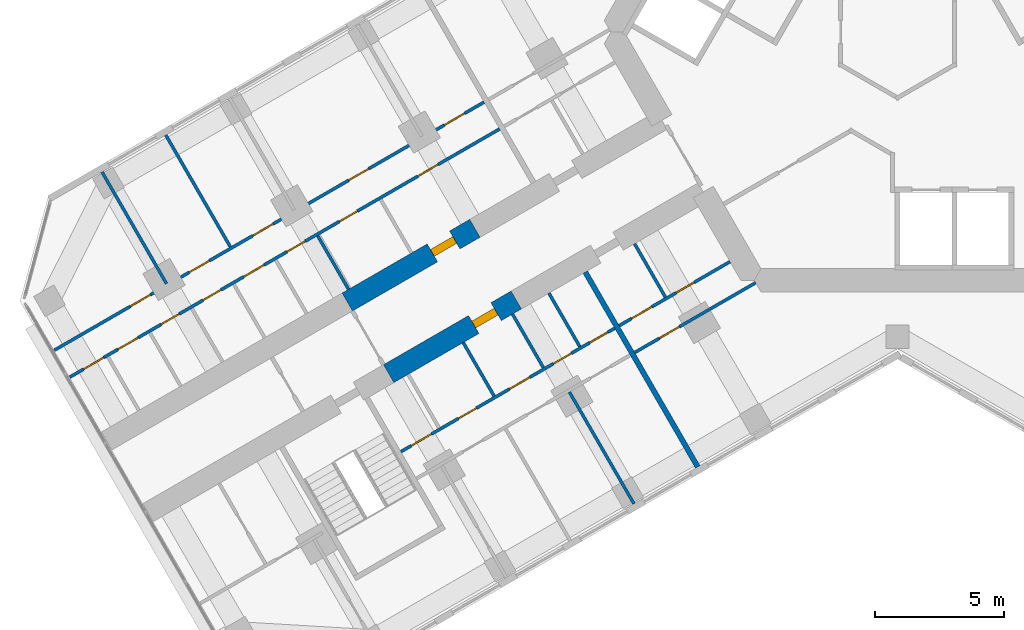
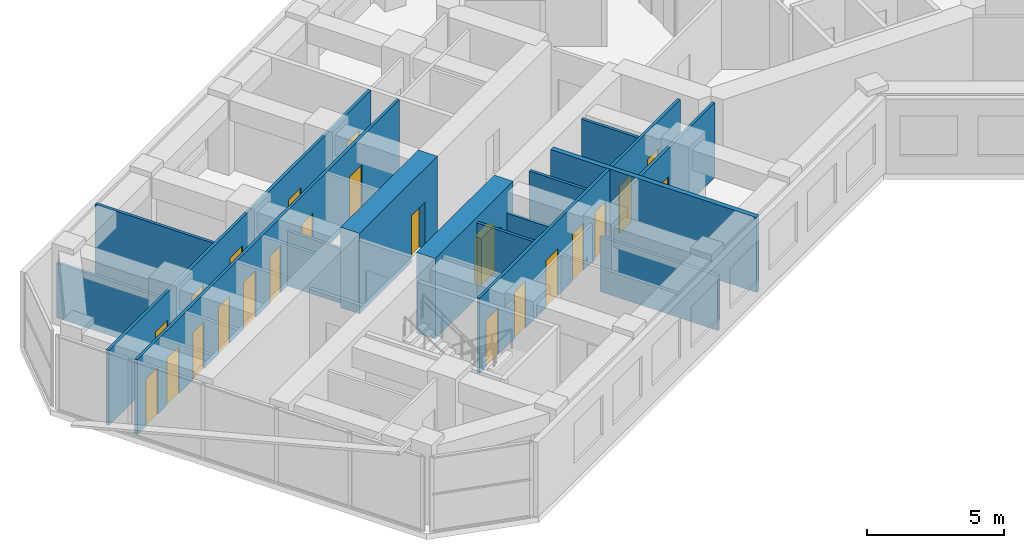
# One storey, part 11 of 19: 23 doors, 16 walls, 23 openings.
"""IFC4 building model written with IfcOpenShell, lengths in metres."""

from ifc_helpers import new_model, si_unit, direction, frame, frame_2d, origin, place, context, subcontext, project, spatial, rectangle, extrude, material, layer, layer_set, type_object, element, fill, save


model = new_model("IFC4")

# Units and contexts
model_context = context("Model", 3, precision=1e-05, world=origin(), true_north=direction((0.0, 1.0)))
body_context = subcontext(model_context, "Body", "Model", "MODEL_VIEW")
ifc_project = project(units=[si_unit("LENGTHUNIT", "METRE"), si_unit("AREAUNIT", "SQUARE_METRE"), si_unit("VOLUMEUNIT", "CUBIC_METRE"), si_unit("PLANEANGLEUNIT", "RADIAN"), si_unit("MASSUNIT", "GRAM", prefix="KILO")], contexts=[model_context])

# Site, building, storey
site_placement = place(None, origin())
site = spatial("IfcSite", under=ifc_project, at=site_placement, CompositionType="ELEMENT")
building_placement = place(site_placement, origin())
building = spatial("IfcBuilding", under=site, at=building_placement, Name="Kosmar Iwan School Tower", CompositionType="ELEMENT")
storey_placement = place(building_placement, frame((0.0, 0.0, 138.199951171875)))
storey = spatial("IfcBuildingStorey", under=building, at=storey_placement, Name="L34", CompositionType="ELEMENT", Elevation=138.199951171875)

# Wall, opening, door
ifc_material_1 = material(Name="Concrete C50/60", Category="concrete")
ifc_layer_1 = layer(ifc_material_1, 0.800048828125)
ifc_layer_set_1 = layer_set([ifc_layer_1], Name="Corridor buttress wall 800")
wall_type_1 = type_object("IfcWallType", Name="Corridor buttress wall 800", PredefinedType="SHEAR", material=ifc_layer_set_1)
wall_1_placement = place(storey_placement, frame((-14.7451171875, -10.360595703125, 0.0), z_axis=(0.0, 0.0, 1.0), x_axis=(-0.866015111908, -0.50001782563, 0.0)))
wall_1 = element("IfcWall", 1, at=wall_1_placement, inside=storey, type_object=wall_type_1, Name="Corridor wall BL bay 2", PredefinedType="SHEAR", context=body_context, shape_type="SweptSolid", body=[
    extrude(rectangle(XDim=5.699951171875, YDim=0.800048828125, at=frame_2d((2.85009765625, 0.0))), origin(), (0.0, 0.0, 1.0), 3.60009765625),
])
opening_1_placement = place(wall_1_placement, frame((0.89990234375, 0.0, 0.0)))
opening_1 = element("IfcOpeningElement", 2, at=opening_1_placement, cuts=wall_1, Name="Opening D1", PredefinedType="OPENING", context=body_context, shape_type="SweptSolid", body=[
    extrude(rectangle(XDim=1.0, YDim=2.10009765625, at=frame_2d((0.5, 1.050048828125))), frame((0.0, 0.412109375, 0.0), z_axis=(0.0, -1.0, 0.0), x_axis=(1.0, 0.0, 0.0)), (0.0, 0.0, 1.0), 0.823974609375),
])
ifc_material_2 = material(Name="Timber fire door in steel frame", Category="steel")
door_type_1 = type_object("IfcDoorType", Name="Flat entrance door 1000x2100", OperationType="SINGLE_SWING_LEFT", PredefinedType="DOOR", material=ifc_material_2)
door_1_placement = place(opening_1_placement, origin())
door_1 = element("IfcDoor", 3, at=door_1_placement, inside=storey, type_object=door_type_1, Name="Flat L34-BL2 entrance door", OperationType="SINGLE_SWING_LEFT", OverallHeight=2.10009765625, OverallWidth=1.0, PredefinedType="DOOR", context=body_context, shape_type="SweptSolid", body=[
    extrude(rectangle(XDim=1.0, YDim=2.10009765625, at=frame_2d((0.5, 1.050048828125))), frame((0.0, 0.14990234375, 0.0), z_axis=(0.0, -1.0, 0.0), x_axis=(1.0, 0.0, 0.0)), (0.0, 0.0, 1.0), 0.300048828125),
])
fill(opening_1, door_1)

wall_2_placement = place(storey_placement, frame((-16.34521484375, -7.58935546875, 0.0), z_axis=(0.0, 0.0, 1.0), x_axis=(-0.866015111908, -0.50001782563, 0.0)))
wall_2 = element("IfcWall", 4, at=wall_2_placement, inside=storey, type_object=wall_type_1, Name="Corridor wall BR bay 2", PredefinedType="SHEAR", context=body_context, shape_type="SweptSolid", body=[
    extrude(rectangle(XDim=5.699951171875, YDim=0.800048828125, at=frame_2d((2.85009765625, 0.0))), origin(), (0.0, 0.0, 1.0), 3.60009765625),
])
opening_2_placement = place(wall_2_placement, frame((0.89990234375, 0.0, 0.0)))
opening_2 = element("IfcOpeningElement", 5, at=opening_2_placement, cuts=wall_2, Name="Opening D1", PredefinedType="OPENING", context=body_context, shape_type="SweptSolid", body=[
    extrude(rectangle(XDim=1.0, YDim=2.10009765625, at=frame_2d((0.5, 1.050048828125))), frame((0.0, 0.412109375, 0.0), z_axis=(0.0, -1.0, 0.0), x_axis=(1.0, 0.0, 0.0)), (0.0, 0.0, 1.0), 0.823974609375),
])
door_2_placement = place(opening_2_placement, origin())
door_2 = element("IfcDoor", 6, at=door_2_placement, inside=storey, type_object=door_type_1, Name="Flat L34-BR2 entrance door", OperationType="SINGLE_SWING_LEFT", OverallHeight=2.10009765625, OverallWidth=1.0, PredefinedType="DOOR", context=body_context, shape_type="SweptSolid", body=[
    extrude(rectangle(XDim=1.0, YDim=2.10009765625, at=frame_2d((0.5, 1.050048828125))), frame((0.0, 0.14990234375, 0.0), z_axis=(0.0, -1.0, 0.0), x_axis=(1.0, 0.0, 0.0)), (0.0, 0.0, 1.0), 0.300048828125),
])
fill(opening_2, door_2)

# Wall, openings, doors
ifc_material_3 = material(Name="Gypsum board on steel studs", Category="steel")
ifc_layer_2 = layer(ifc_material_3, 0.1201171875)
ifc_layer_set_2 = layer_set([ifc_layer_2], Name="Dwelling partition 120")
wall_type_2 = type_object("IfcWallType", Name="Dwelling partition 120", PredefinedType="PARTITIONING", material=ifc_layer_set_2)
wall_3_placement = place(storey_placement, frame((-6.478515625, -8.87890625, 0.0), z_axis=(0.0, 0.0, 1.0), x_axis=(-0.866040211805, -0.499974350878, 0.0)))
wall_3 = element("IfcWall", 7, at=wall_3_placement, inside=storey, type_object=wall_type_2, Name="Partition L34-BL1-W1", PredefinedType="PARTITIONING", context=body_context, shape_type="SweptSolid", body=[
    extrude(rectangle(XDim=4.949951171875, YDim=0.1201171875, at=frame_2d((2.47509765625, 0.0))), origin(), (0.0, 0.0, 1.0), 3.35009765625),
])
opening_3_placement = place(wall_3_placement, frame((1.60009765625, 0.0, 0.0)))
opening_3 = element("IfcOpeningElement", 8, at=opening_3_placement, cuts=wall_3, Name="Opening D3", PredefinedType="OPENING", context=body_context, shape_type="SweptSolid", body=[
    extrude(rectangle(XDim=0.800048828125, YDim=2.10009765625, at=frame_2d((0.39990234375, 1.050048828125))), frame((0.0, 0.072021484375, 0.0), z_axis=(0.0, -1.0, 0.0), x_axis=(1.0, 0.0, 0.0)), (0.0, 0.0, 1.0), 0.14404296875),
])
opening_4_placement = place(wall_3_placement, frame((3.5, 0.0, 0.0)))
opening_4 = element("IfcOpeningElement", 9, at=opening_4_placement, cuts=wall_3, Name="Opening D2", PredefinedType="OPENING", context=body_context, shape_type="SweptSolid", body=[
    extrude(rectangle(XDim=0.89990234375, YDim=2.10009765625, at=frame_2d((0.449951171875, 1.050048828125))), frame((0.0, 0.072021484375, 0.0), z_axis=(0.0, -1.0, 0.0), x_axis=(1.0, 0.0, 0.0)), (0.0, 0.0, 1.0), 0.14404296875),
])
ifc_material_4 = material(Name="Timber door in timber frame", Category="wood")
door_type_2 = type_object("IfcDoorType", Name="Internal door 900x2100", OperationType="SINGLE_SWING_LEFT", PredefinedType="DOOR", material=ifc_material_4)
door_3_placement = place(opening_4_placement, origin())
door_3 = element("IfcDoor", 10, at=door_3_placement, inside=storey, type_object=door_type_2, Name="Entrance hall door L34-BL1-S2", OperationType="SINGLE_SWING_RIGHT", OverallHeight=2.10009765625, OverallWidth=0.89990234375, PredefinedType="DOOR", context=body_context, shape_type="SweptSolid", body=[
    extrude(rectangle(XDim=0.89990234375, YDim=2.10009765625, at=frame_2d((0.449951171875, 1.050048828125))), frame((0.0, 0.02490234375, 0.0), z_axis=(0.0, -1.0, 0.0), x_axis=(1.0, 0.0, 0.0)), (0.0, 0.0, 1.0), 0.050048828125),
])
fill(opening_4, door_3)
ifc_material_5 = material(Name="Timber door in timber frame", Category="wood")
door_type_3 = type_object("IfcDoorType", Name="Sanitary room door 800x2100", OperationType="SINGLE_SWING_LEFT", PredefinedType="DOOR", material=ifc_material_5)
door_4_placement = place(opening_3_placement, origin())
door_4 = element("IfcDoor", 11, at=door_4_placement, inside=storey, type_object=door_type_3, Name="Bathroom door L34-BL1-S1", OperationType="SINGLE_SWING_LEFT", OverallHeight=2.10009765625, OverallWidth=0.800048828125, PredefinedType="DOOR", context=body_context, shape_type="SweptSolid", body=[
    extrude(rectangle(XDim=0.800048828125, YDim=2.10009765625, at=frame_2d((0.39990234375, 1.050048828125))), frame((0.0, 0.02490234375, 0.0), z_axis=(0.0, -1.0, 0.0), x_axis=(1.0, 0.0, 0.0)), (0.0, 0.0, 1.0), 0.050048828125),
])
fill(opening_3, door_4)

# Wall, opening, door
wall_4_placement = place(storey_placement, frame((-5.48876953125, -9.693115234375, 0.0), z_axis=(0.0, 0.0, 1.0), x_axis=(-0.866028230842, -0.499995103361, 0.0)))
wall_4 = element("IfcWall", 12, at=wall_4_placement, inside=storey, type_object=wall_type_2, Name="Partition L34-BL1-W2", PredefinedType="PARTITIONING", context=body_context, shape_type="SweptSolid", body=[
    extrude(rectangle(XDim=5.39990234375, YDim=0.1201171875, at=frame_2d((2.699951171875, 0.0))), origin(), (0.0, 0.0, 1.0), 3.35009765625),
])
opening_5_placement = place(wall_4_placement, frame((3.39990234375, 0.0, 0.0)))
opening_5 = element("IfcOpeningElement", 13, at=opening_5_placement, cuts=wall_4, Name="Opening D2", PredefinedType="OPENING", context=body_context, shape_type="SweptSolid", body=[
    extrude(rectangle(XDim=0.89990234375, YDim=2.10009765625, at=frame_2d((0.449951171875, 1.050048828125))), frame((0.0, 0.072021484375, 0.0), z_axis=(0.0, -1.0, 0.0), x_axis=(1.0, 0.0, 0.0)), (0.0, 0.0, 1.0), 0.14404296875),
])
door_5_placement = place(opening_5_placement, origin())
door_5 = element("IfcDoor", 14, at=door_5_placement, inside=storey, type_object=door_type_2, Name="Studio living room and kitchen door L34-BL1-F1", OperationType="SINGLE_SWING_RIGHT", OverallHeight=2.10009765625, OverallWidth=0.89990234375, PredefinedType="DOOR", context=body_context, shape_type="SweptSolid", body=[
    extrude(rectangle(XDim=0.89990234375, YDim=2.10009765625, at=frame_2d((0.449951171875, 1.050048828125))), frame((0.0, 0.02490234375, 0.0), z_axis=(0.0, -1.0, 0.0), x_axis=(1.0, 0.0, 0.0)), (0.0, 0.0, 1.0), 0.050048828125),
])
fill(opening_5, door_5)

# Wall
wall_5_placement = place(storey_placement, frame((-10.171630859375, -8.18212890625, 0.0), z_axis=(0.0, 0.0, 1.0), x_axis=(0.499940577336, -0.866059708757, 0.0)))
element("IfcWall", 15, at=wall_5_placement, inside=storey, type_object=wall_type_2, Name="Partition L34-BL1-Y1", PredefinedType="PARTITIONING", context=body_context, shape_type="SweptSolid", body=[
    extrude(rectangle(XDim=2.389892578125, YDim=0.1201171875, at=frame_2d((1.19482421875, 0.0))), origin(), (0.0, 0.0, 1.0), 3.35009765625),
])

# Wall, openings, doors
wall_6_placement = place(storey_placement, frame((-10.9384765625, -11.453857421875, 0.0), z_axis=(0.0, 0.0, 1.0), x_axis=(-0.866035311659, -0.499982838664, 0.0)))
wall_6 = element("IfcWall", 16, at=wall_6_placement, inside=storey, type_object=wall_type_2, Name="Partition L34-BL2-W1", PredefinedType="PARTITIONING", context=body_context, shape_type="SweptSolid", body=[
    extrude(rectangle(XDim=9.550048828125, YDim=0.1201171875, at=frame_2d((4.77490234375, 0.0))), origin(), (0.0, 0.0, 1.0), 3.35009765625),
])
opening_6_placement = place(wall_6_placement, frame((0.3125, 0.0, 0.0)))
opening_6 = element("IfcOpeningElement", 17, at=opening_6_placement, cuts=wall_6, Name="Opening D3", PredefinedType="OPENING", context=body_context, shape_type="SweptSolid", body=[
    extrude(rectangle(XDim=0.800048828125, YDim=2.10009765625, at=frame_2d((0.39990234375, 1.050048828125))), frame((0.0, 0.072021484375, 0.0), z_axis=(0.0, -1.0, 0.0), x_axis=(1.0, 0.0, 0.0)), (0.0, 0.0, 1.0), 0.14404296875),
])
opening_7_placement = place(wall_6_placement, frame((1.9375, 0.0, 0.0)))
opening_7 = element("IfcOpeningElement", 18, at=opening_7_placement, cuts=wall_6, Name="Opening D3", PredefinedType="OPENING", context=body_context, shape_type="SweptSolid", body=[
    extrude(rectangle(XDim=0.800048828125, YDim=2.10009765625, at=frame_2d((0.39990234375, 1.050048828125))), frame((0.0, 0.072021484375, 0.0), z_axis=(0.0, -1.0, 0.0), x_axis=(1.0, 0.0, 0.0)), (0.0, 0.0, 1.0), 0.14404296875),
])
opening_8_placement = place(wall_6_placement, frame((3.800048828125, 0.0, 0.0)))
opening_8 = element("IfcOpeningElement", 19, at=opening_8_placement, cuts=wall_6, Name="Opening D2", PredefinedType="OPENING", context=body_context, shape_type="SweptSolid", body=[
    extrude(rectangle(XDim=0.89990234375, YDim=2.10009765625, at=frame_2d((0.449951171875, 1.050048828125))), frame((0.0, 0.072021484375, 0.0), z_axis=(0.0, -1.0, 0.0), x_axis=(1.0, 0.0, 0.0)), (0.0, 0.0, 1.0), 0.14404296875),
])
opening_9_placement = place(wall_6_placement, frame((6.179931640625, 0.0, 0.0)))
opening_9 = element("IfcOpeningElement", 20, at=opening_9_placement, cuts=wall_6, Name="Opening D3", PredefinedType="OPENING", context=body_context, shape_type="SweptSolid", body=[
    extrude(rectangle(XDim=0.800048828125, YDim=2.10009765625, at=frame_2d((0.39990234375, 1.050048828125))), frame((0.0, 0.072021484375, 0.0), z_axis=(0.0, -1.0, 0.0), x_axis=(1.0, 0.0, 0.0)), (0.0, 0.0, 1.0), 0.14404296875),
])
opening_10_placement = place(wall_6_placement, frame((8.179931640625, 0.0, 0.0)))
opening_10 = element("IfcOpeningElement", 21, at=opening_10_placement, cuts=wall_6, Name="Opening D2", PredefinedType="OPENING", context=body_context, shape_type="SweptSolid", body=[
    extrude(rectangle(XDim=0.89990234375, YDim=2.10009765625, at=frame_2d((0.449951171875, 1.050048828125))), frame((0.0, 0.072021484375, 0.0), z_axis=(0.0, -1.0, 0.0), x_axis=(1.0, 0.0, 0.0)), (0.0, 0.0, 1.0), 0.14404296875),
])
door_6_placement = place(opening_8_placement, origin())
door_6 = element("IfcDoor", 22, at=door_6_placement, inside=storey, type_object=door_type_2, Name="Entrance hall door L34-BL2-S3", OperationType="SINGLE_SWING_LEFT", OverallHeight=2.10009765625, OverallWidth=0.89990234375, PredefinedType="DOOR", context=body_context, shape_type="SweptSolid", body=[
    extrude(rectangle(XDim=0.89990234375, YDim=2.10009765625, at=frame_2d((0.449951171875, 1.050048828125))), frame((0.0, 0.02490234375, 0.0), z_axis=(0.0, -1.0, 0.0), x_axis=(1.0, 0.0, 0.0)), (0.0, 0.0, 1.0), 0.050048828125),
])
fill(opening_8, door_6)
door_7_placement = place(opening_10_placement, frame((0.89990234375, 0.0, 0.0), z_axis=(0.0, 0.0, 1.0), x_axis=(-1.0, 0.0, 0.0)))
door_7 = element("IfcDoor", 23, at=door_7_placement, inside=storey, type_object=door_type_2, Name="Pantry door L34-BL2-S5", OperationType="SINGLE_SWING_LEFT", OverallHeight=2.10009765625, OverallWidth=0.89990234375, PredefinedType="DOOR", context=body_context, shape_type="SweptSolid", body=[
    extrude(rectangle(XDim=0.89990234375, YDim=2.10009765625, at=frame_2d((0.449951171875, 1.050048828125))), frame((0.0, 0.02490234375, 0.0), z_axis=(0.0, -1.0, 0.0), x_axis=(1.0, 0.0, 0.0)), (0.0, 0.0, 1.0), 0.050048828125),
])
fill(opening_10, door_7)
door_8_placement = place(opening_6_placement, origin())
door_8 = element("IfcDoor", 24, at=door_8_placement, inside=storey, type_object=door_type_3, Name="WC door L34-BL2-S1", OperationType="SINGLE_SWING_LEFT", OverallHeight=2.10009765625, OverallWidth=0.800048828125, PredefinedType="DOOR", context=body_context, shape_type="SweptSolid", body=[
    extrude(rectangle(XDim=0.800048828125, YDim=2.10009765625, at=frame_2d((0.39990234375, 1.050048828125))), frame((0.0, 0.02490234375, 0.0), z_axis=(0.0, -1.0, 0.0), x_axis=(1.0, 0.0, 0.0)), (0.0, 0.0, 1.0), 0.050048828125),
])
fill(opening_6, door_8)
door_9_placement = place(opening_7_placement, origin())
door_9 = element("IfcDoor", 25, at=door_9_placement, inside=storey, type_object=door_type_3, Name="Shower room door L34-BL2-S2", OperationType="SINGLE_SWING_LEFT", OverallHeight=2.10009765625, OverallWidth=0.800048828125, PredefinedType="DOOR", context=body_context, shape_type="SweptSolid", body=[
    extrude(rectangle(XDim=0.800048828125, YDim=2.10009765625, at=frame_2d((0.39990234375, 1.050048828125))), frame((0.0, 0.02490234375, 0.0), z_axis=(0.0, -1.0, 0.0), x_axis=(1.0, 0.0, 0.0)), (0.0, 0.0, 1.0), 0.050048828125),
])
fill(opening_7, door_9)
door_10_placement = place(opening_9_placement, origin())
door_10 = element("IfcDoor", 26, at=door_10_placement, inside=storey, type_object=door_type_3, Name="Bathroom door L34-BL2-S4", OperationType="SINGLE_SWING_RIGHT", OverallHeight=2.10009765625, OverallWidth=0.800048828125, PredefinedType="DOOR", context=body_context, shape_type="SweptSolid", body=[
    extrude(rectangle(XDim=0.800048828125, YDim=2.10009765625, at=frame_2d((0.39990234375, 1.050048828125))), frame((0.0, 0.02490234375, 0.0), z_axis=(0.0, -1.0, 0.0), x_axis=(1.0, 0.0, 0.0)), (0.0, 0.0, 1.0), 0.050048828125),
])
fill(opening_9, door_10)

# Walls
wall_7_placement = place(storey_placement, frame((-12.690185546875, -13.919921875, 0.0), z_axis=(0.0, 0.0, 1.0), x_axis=(0.500011847778, -0.866018563358, 0.0)))
element("IfcWall", 27, at=wall_7_placement, inside=storey, type_object=wall_type_2, Name="Partition L34-BL2-X1", PredefinedType="PARTITIONING", context=body_context, shape_type="SweptSolid", body=[
    extrude(rectangle(XDim=4.990234375, YDim=0.1201171875, at=frame_2d((2.4951171875, 0.0))), origin(), (0.0, 0.0, 1.0), 2.449951171875),
])
wall_8_placement = place(storey_placement, frame((-13.484375, -10.094482421875, 0.0), z_axis=(0.0, 0.0, 1.0), x_axis=(0.500017192868, -0.86601547725, 0.0)))
element("IfcWall", 28, at=wall_8_placement, inside=storey, type_object=wall_type_2, Name="Partition L34-BL2-Y1", PredefinedType="PARTITIONING", context=body_context, shape_type="SweptSolid", body=[
    extrude(rectangle(XDim=2.39013671875, YDim=0.1201171875, at=frame_2d((1.195068359375, 0.0))), origin(), (0.0, 0.0, 1.0), 3.35009765625),
])
wall_9_placement = place(storey_placement, frame((-14.8916015625, -10.906982421875, 0.0), z_axis=(0.0, 0.0, 1.0), x_axis=(0.500017192868, -0.86601547725, 0.0)))
element("IfcWall", 29, at=wall_9_placement, inside=storey, type_object=wall_type_2, Name="Partition L34-BL2-Y2", PredefinedType="PARTITIONING", context=body_context, shape_type="SweptSolid", body=[
    extrude(rectangle(XDim=2.39013671875, YDim=0.1201171875, at=frame_2d((1.195068359375, 0.0))), origin(), (0.0, 0.0, 1.0), 2.449951171875),
])
wall_10_placement = place(storey_placement, frame((-16.796875, -12.007080078125, 0.0), z_axis=(0.0, 0.0, 1.0), x_axis=(0.500017192868, -0.86601547725, 0.0)))
element("IfcWall", 30, at=wall_10_placement, inside=storey, type_object=wall_type_2, Name="Partition L34-BL2-Y3", PredefinedType="PARTITIONING", context=body_context, shape_type="SweptSolid", body=[
    extrude(rectangle(XDim=2.39013671875, YDim=0.1201171875, at=frame_2d((1.195068359375, 0.0))), origin(), (0.0, 0.0, 1.0), 3.35009765625),
])

# Wall, openings, doors
wall_11_placement = place(storey_placement, frame((-15.388671875, -3.74609375, 0.0), z_axis=(0.0, 0.0, 1.0), x_axis=(-0.866021011428, -0.500007607708, 0.0)))
wall_11 = element("IfcWall", 31, at=wall_11_placement, inside=storey, type_object=wall_type_2, Name="Partition L34-BR2-W1", PredefinedType="PARTITIONING", context=body_context, shape_type="SweptSolid", body=[
    extrude(rectangle(XDim=19.195068359375, YDim=0.1201171875, at=frame_2d((9.59765625, 0.0))), origin(), (0.0, 0.0, 1.0), 3.35009765625),
])
opening_11_placement = place(wall_11_placement, frame((2.75, 0.0, 0.0)))
opening_11 = element("IfcOpeningElement", 32, at=opening_11_placement, cuts=wall_11, Name="Opening D2", PredefinedType="OPENING", context=body_context, shape_type="SweptSolid", body=[
    extrude(rectangle(XDim=0.89990234375, YDim=2.10009765625, at=frame_2d((0.449951171875, 1.050048828125))), frame((0.0, 0.072021484375, 0.0), z_axis=(0.0, -1.0, 0.0), x_axis=(1.0, 0.0, 0.0)), (0.0, 0.0, 1.0), 0.14404296875),
])
opening_12_placement = place(wall_11_placement, frame((6.35498046875, 0.0, 0.0)))
opening_12 = element("IfcOpeningElement", 33, at=opening_12_placement, cuts=wall_11, Name="Opening D3", PredefinedType="OPENING", context=body_context, shape_type="SweptSolid", body=[
    extrude(rectangle(XDim=0.800048828125, YDim=2.10009765625, at=frame_2d((0.39990234375, 1.050048828125))), frame((0.0, 0.072021484375, 0.0), z_axis=(0.0, -1.0, 0.0), x_axis=(1.0, 0.0, 0.0)), (0.0, 0.0, 1.0), 0.14404296875),
])
opening_13_placement = place(wall_11_placement, frame((8.69677734375, 0.0, 0.0)))
opening_13 = element("IfcOpeningElement", 34, at=opening_13_placement, cuts=wall_11, Name="Opening D3", PredefinedType="OPENING", context=body_context, shape_type="SweptSolid", body=[
    extrude(rectangle(XDim=0.800048828125, YDim=2.10009765625, at=frame_2d((0.39990234375, 1.050048828125))), frame((0.0, 0.072021484375, 0.0), z_axis=(0.0, -1.0, 0.0), x_axis=(1.0, 0.0, 0.0)), (0.0, 0.0, 1.0), 0.14404296875),
])
opening_14_placement = place(wall_11_placement, frame((10.52001953125, 0.0, 0.0)))
opening_14 = element("IfcOpeningElement", 35, at=opening_14_placement, cuts=wall_11, Name="Opening D2", PredefinedType="OPENING", context=body_context, shape_type="SweptSolid", body=[
    extrude(rectangle(XDim=0.89990234375, YDim=2.10009765625, at=frame_2d((0.449951171875, 1.050048828125))), frame((0.0, 0.072021484375, 0.0), z_axis=(0.0, -1.0, 0.0), x_axis=(1.0, 0.0, 0.0)), (0.0, 0.0, 1.0), 0.14404296875),
])
opening_15_placement = place(wall_11_placement, frame((12.443359375, 0.0, 0.0)))
opening_15 = element("IfcOpeningElement", 36, at=opening_15_placement, cuts=wall_11, Name="Opening D3", PredefinedType="OPENING", context=body_context, shape_type="SweptSolid", body=[
    extrude(rectangle(XDim=0.800048828125, YDim=2.10009765625, at=frame_2d((0.39990234375, 1.050048828125))), frame((0.0, 0.072021484375, 0.0), z_axis=(0.0, -1.0, 0.0), x_axis=(1.0, 0.0, 0.0)), (0.0, 0.0, 1.0), 0.14404296875),
])
opening_16_placement = place(wall_11_placement, frame((14.316650390625, 0.0, 0.0)))
opening_16 = element("IfcOpeningElement", 37, at=opening_16_placement, cuts=wall_11, Name="Opening D3", PredefinedType="OPENING", context=body_context, shape_type="SweptSolid", body=[
    extrude(rectangle(XDim=0.800048828125, YDim=2.10009765625, at=frame_2d((0.39990234375, 1.050048828125))), frame((0.0, 0.072021484375, 0.0), z_axis=(0.0, -1.0, 0.0), x_axis=(1.0, 0.0, 0.0)), (0.0, 0.0, 1.0), 0.14404296875),
])
opening_17_placement = place(wall_11_placement, frame((16.139892578125, 0.0, 0.0)))
opening_17 = element("IfcOpeningElement", 38, at=opening_17_placement, cuts=wall_11, Name="Opening D2", PredefinedType="OPENING", context=body_context, shape_type="SweptSolid", body=[
    extrude(rectangle(XDim=0.89990234375, YDim=2.10009765625, at=frame_2d((0.449951171875, 1.050048828125))), frame((0.0, 0.072021484375, 0.0), z_axis=(0.0, -1.0, 0.0), x_axis=(1.0, 0.0, 0.0)), (0.0, 0.0, 1.0), 0.14404296875),
])
opening_18_placement = place(wall_11_placement, frame((17.686767578125, 0.0, 0.0)))
opening_18 = element("IfcOpeningElement", 39, at=opening_18_placement, cuts=wall_11, Name="Opening D2", PredefinedType="OPENING", context=body_context, shape_type="SweptSolid", body=[
    extrude(rectangle(XDim=0.89990234375, YDim=2.10009765625, at=frame_2d((0.449951171875, 1.050048828125))), frame((0.0, 0.072021484375, 0.0), z_axis=(0.0, -1.0, 0.0), x_axis=(1.0, 0.0, 0.0)), (0.0, 0.0, 1.0), 0.14404296875),
])
door_11_placement = place(opening_11_placement, origin())
door_11 = element("IfcDoor", 40, at=door_11_placement, inside=storey, type_object=door_type_2, Name="Entrance hall door L34-BR2-S1", OperationType="SINGLE_SWING_RIGHT", OverallHeight=2.10009765625, OverallWidth=0.89990234375, PredefinedType="DOOR", context=body_context, shape_type="SweptSolid", body=[
    extrude(rectangle(XDim=0.89990234375, YDim=2.10009765625, at=frame_2d((0.449951171875, 1.050048828125))), frame((0.0, 0.02490234375, 0.0), z_axis=(0.0, -1.0, 0.0), x_axis=(1.0, 0.0, 0.0)), (0.0, 0.0, 1.0), 0.050048828125),
])
fill(opening_11, door_11)
door_12_placement = place(opening_14_placement, origin())
door_12 = element("IfcDoor", 41, at=door_12_placement, inside=storey, type_object=door_type_2, Name="Pantry door L34-BR2-S4", OperationType="SINGLE_SWING_RIGHT", OverallHeight=2.10009765625, OverallWidth=0.89990234375, PredefinedType="DOOR", context=body_context, shape_type="SweptSolid", body=[
    extrude(rectangle(XDim=0.89990234375, YDim=2.10009765625, at=frame_2d((0.449951171875, 1.050048828125))), frame((0.0, 0.02490234375, 0.0), z_axis=(0.0, -1.0, 0.0), x_axis=(1.0, 0.0, 0.0)), (0.0, 0.0, 1.0), 0.050048828125),
])
fill(opening_14, door_12)
door_13_placement = place(opening_17_placement, origin())
door_13 = element("IfcDoor", 42, at=door_13_placement, inside=storey, type_object=door_type_2, Name="Utility room door L34-BR2-S7", OperationType="SINGLE_SWING_LEFT", OverallHeight=2.10009765625, OverallWidth=0.89990234375, PredefinedType="DOOR", context=body_context, shape_type="SweptSolid", body=[
    extrude(rectangle(XDim=0.89990234375, YDim=2.10009765625, at=frame_2d((0.449951171875, 1.050048828125))), frame((0.0, 0.02490234375, 0.0), z_axis=(0.0, -1.0, 0.0), x_axis=(1.0, 0.0, 0.0)), (0.0, 0.0, 1.0), 0.050048828125),
])
fill(opening_17, door_13)
door_14_placement = place(opening_18_placement, origin())
door_14 = element("IfcDoor", 43, at=door_14_placement, inside=storey, type_object=door_type_2, Name="Dressing room door L34-BR2-S8", OperationType="SINGLE_SWING_LEFT", OverallHeight=2.10009765625, OverallWidth=0.89990234375, PredefinedType="DOOR", context=body_context, shape_type="SweptSolid", body=[
    extrude(rectangle(XDim=0.89990234375, YDim=2.10009765625, at=frame_2d((0.449951171875, 1.050048828125))), frame((0.0, 0.02490234375, 0.0), z_axis=(0.0, -1.0, 0.0), x_axis=(1.0, 0.0, 0.0)), (0.0, 0.0, 1.0), 0.050048828125),
])
fill(opening_18, door_14)
door_15_placement = place(opening_12_placement, origin())
door_15 = element("IfcDoor", 44, at=door_15_placement, inside=storey, type_object=door_type_3, Name="Bathroom door L34-BR2-S2", OperationType="SINGLE_SWING_RIGHT", OverallHeight=2.10009765625, OverallWidth=0.800048828125, PredefinedType="DOOR", context=body_context, shape_type="SweptSolid", body=[
    extrude(rectangle(XDim=0.800048828125, YDim=2.10009765625, at=frame_2d((0.39990234375, 1.050048828125))), frame((0.0, 0.02490234375, 0.0), z_axis=(0.0, -1.0, 0.0), x_axis=(1.0, 0.0, 0.0)), (0.0, 0.0, 1.0), 0.050048828125),
])
fill(opening_12, door_15)
door_16_placement = place(opening_13_placement, origin())
door_16 = element("IfcDoor", 45, at=door_16_placement, inside=storey, type_object=door_type_3, Name="Shower room door L34-BR2-S3", OperationType="SINGLE_SWING_LEFT", OverallHeight=2.10009765625, OverallWidth=0.800048828125, PredefinedType="DOOR", context=body_context, shape_type="SweptSolid", body=[
    extrude(rectangle(XDim=0.800048828125, YDim=2.10009765625, at=frame_2d((0.39990234375, 1.050048828125))), frame((0.0, 0.02490234375, 0.0), z_axis=(0.0, -1.0, 0.0), x_axis=(1.0, 0.0, 0.0)), (0.0, 0.0, 1.0), 0.050048828125),
])
fill(opening_13, door_16)
door_17_placement = place(opening_15_placement, origin())
door_17 = element("IfcDoor", 46, at=door_17_placement, inside=storey, type_object=door_type_3, Name="WC door L34-BR2-S5", OperationType="SINGLE_SWING_LEFT", OverallHeight=2.10009765625, OverallWidth=0.800048828125, PredefinedType="DOOR", context=body_context, shape_type="SweptSolid", body=[
    extrude(rectangle(XDim=0.800048828125, YDim=2.10009765625, at=frame_2d((0.39990234375, 1.050048828125))), frame((0.0, 0.02490234375, 0.0), z_axis=(0.0, -1.0, 0.0), x_axis=(1.0, 0.0, 0.0)), (0.0, 0.0, 1.0), 0.050048828125),
])
fill(opening_15, door_17)
door_18_placement = place(opening_16_placement, origin())
door_18 = element("IfcDoor", 47, at=door_18_placement, inside=storey, type_object=door_type_3, Name="Store door L34-BR2-S6", OperationType="SINGLE_SWING_RIGHT", OverallHeight=2.10009765625, OverallWidth=0.800048828125, PredefinedType="DOOR", context=body_context, shape_type="SweptSolid", body=[
    extrude(rectangle(XDim=0.800048828125, YDim=2.10009765625, at=frame_2d((0.39990234375, 1.050048828125))), frame((0.0, 0.02490234375, 0.0), z_axis=(0.0, -1.0, 0.0), x_axis=(1.0, 0.0, 0.0)), (0.0, 0.0, 1.0), 0.050048828125),
])
fill(opening_16, door_18)

wall_12_placement = place(storey_placement, frame((-15.988525390625, -2.70703125, 0.0), z_axis=(0.0, 0.0, 1.0), x_axis=(-0.866029698618, -0.499992561057, 0.0)))
wall_12 = element("IfcWall", 48, at=wall_12_placement, inside=storey, type_object=wall_type_2, Name="Partition L34-BR2-W2", PredefinedType="PARTITIONING", context=body_context, shape_type="SweptSolid", body=[
    extrude(rectangle(XDim=19.195068359375, YDim=0.1201171875, at=frame_2d((9.59765625, 0.0))), origin(), (0.0, 0.0, 1.0), 3.35009765625),
])
opening_19_placement = place(wall_12_placement, frame((0.875, 0.0, 0.0)))
opening_19 = element("IfcOpeningElement", 49, at=opening_19_placement, cuts=wall_12, Name="Opening D2", PredefinedType="OPENING", context=body_context, shape_type="SweptSolid", body=[
    extrude(rectangle(XDim=0.89990234375, YDim=2.10009765625, at=frame_2d((0.449951171875, 1.050048828125))), frame((0.0, 0.072021484375, 0.0), z_axis=(0.0, -1.0, 0.0), x_axis=(1.0, 0.0, 0.0)), (0.0, 0.0, 1.0), 0.14404296875),
])
opening_20_placement = place(wall_12_placement, frame((5.14990234375, 0.0, 0.0)))
opening_20 = element("IfcOpeningElement", 50, at=opening_20_placement, cuts=wall_12, Name="Opening D2", PredefinedType="OPENING", context=body_context, shape_type="SweptSolid", body=[
    extrude(rectangle(XDim=0.89990234375, YDim=2.10009765625, at=frame_2d((0.449951171875, 1.050048828125))), frame((0.0, 0.072021484375, 0.0), z_axis=(0.0, -1.0, 0.0), x_axis=(1.0, 0.0, 0.0)), (0.0, 0.0, 1.0), 0.14404296875),
])
opening_21_placement = place(wall_12_placement, frame((9.425048828125, 0.0, 0.0)))
opening_21 = element("IfcOpeningElement", 51, at=opening_21_placement, cuts=wall_12, Name="Opening D2", PredefinedType="OPENING", context=body_context, shape_type="SweptSolid", body=[
    extrude(rectangle(XDim=0.89990234375, YDim=2.10009765625, at=frame_2d((0.449951171875, 1.050048828125))), frame((0.0, 0.072021484375, 0.0), z_axis=(0.0, -1.0, 0.0), x_axis=(1.0, 0.0, 0.0)), (0.0, 0.0, 1.0), 0.14404296875),
])
opening_22_placement = place(wall_12_placement, frame((12.27490234375, 0.0, 0.0)))
opening_22 = element("IfcOpeningElement", 52, at=opening_22_placement, cuts=wall_12, Name="Opening D2", PredefinedType="OPENING", context=body_context, shape_type="SweptSolid", body=[
    extrude(rectangle(XDim=0.89990234375, YDim=2.10009765625, at=frame_2d((0.449951171875, 1.050048828125))), frame((0.0, 0.072021484375, 0.0), z_axis=(0.0, -1.0, 0.0), x_axis=(1.0, 0.0, 0.0)), (0.0, 0.0, 1.0), 0.14404296875),
])
opening_23_placement = place(wall_12_placement, frame((14.89990234375, 0.0, 0.0)))
opening_23 = element("IfcOpeningElement", 53, at=opening_23_placement, cuts=wall_12, Name="Opening D2", PredefinedType="OPENING", context=body_context, shape_type="SweptSolid", body=[
    extrude(rectangle(XDim=0.89990234375, YDim=2.10009765625, at=frame_2d((0.449951171875, 1.050048828125))), frame((0.0, 0.072021484375, 0.0), z_axis=(0.0, -1.0, 0.0), x_axis=(1.0, 0.0, 0.0)), (0.0, 0.0, 1.0), 0.14404296875),
])
door_19_placement = place(opening_19_placement, origin())
door_19 = element("IfcDoor", 54, at=door_19_placement, inside=storey, type_object=door_type_2, Name="Guest reception room door L34-BR2-F1", OperationType="SINGLE_SWING_LEFT", OverallHeight=2.10009765625, OverallWidth=0.89990234375, PredefinedType="DOOR", context=body_context, shape_type="SweptSolid", body=[
    extrude(rectangle(XDim=0.89990234375, YDim=2.10009765625, at=frame_2d((0.449951171875, 1.050048828125))), frame((0.0, 0.02490234375, 0.0), z_axis=(0.0, -1.0, 0.0), x_axis=(1.0, 0.0, 0.0)), (0.0, 0.0, 1.0), 0.050048828125),
])
fill(opening_19, door_19)
door_20_placement = place(opening_20_placement, origin())
door_20 = element("IfcDoor", 55, at=door_20_placement, inside=storey, type_object=door_type_2, Name="Family room and kitchen door L34-BR2-F2", OperationType="SINGLE_SWING_LEFT", OverallHeight=2.10009765625, OverallWidth=0.89990234375, PredefinedType="DOOR", context=body_context, shape_type="SweptSolid", body=[
    extrude(rectangle(XDim=0.89990234375, YDim=2.10009765625, at=frame_2d((0.449951171875, 1.050048828125))), frame((0.0, 0.02490234375, 0.0), z_axis=(0.0, -1.0, 0.0), x_axis=(1.0, 0.0, 0.0)), (0.0, 0.0, 1.0), 0.050048828125),
])
fill(opening_20, door_20)
door_21_placement = place(opening_21_placement, origin())
door_21 = element("IfcDoor", 56, at=door_21_placement, inside=storey, type_object=door_type_2, Name="Bedroom 1 door L34-BR2-F3", OperationType="SINGLE_SWING_RIGHT", OverallHeight=2.10009765625, OverallWidth=0.89990234375, PredefinedType="DOOR", context=body_context, shape_type="SweptSolid", body=[
    extrude(rectangle(XDim=0.89990234375, YDim=2.10009765625, at=frame_2d((0.449951171875, 1.050048828125))), frame((0.0, 0.02490234375, 0.0), z_axis=(0.0, -1.0, 0.0), x_axis=(1.0, 0.0, 0.0)), (0.0, 0.0, 1.0), 0.050048828125),
])
fill(opening_21, door_21)
door_22_placement = place(opening_22_placement, origin())
door_22 = element("IfcDoor", 57, at=door_22_placement, inside=storey, type_object=door_type_2, Name="Bedroom 2 door L34-BR2-F4", OperationType="SINGLE_SWING_RIGHT", OverallHeight=2.10009765625, OverallWidth=0.89990234375, PredefinedType="DOOR", context=body_context, shape_type="SweptSolid", body=[
    extrude(rectangle(XDim=0.89990234375, YDim=2.10009765625, at=frame_2d((0.449951171875, 1.050048828125))), frame((0.0, 0.02490234375, 0.0), z_axis=(0.0, -1.0, 0.0), x_axis=(1.0, 0.0, 0.0)), (0.0, 0.0, 1.0), 0.050048828125),
])
fill(opening_22, door_22)
door_23_placement = place(opening_23_placement, origin())
door_23 = element("IfcDoor", 58, at=door_23_placement, inside=storey, type_object=door_type_2, Name="Bedroom 3 door L34-BR2-F5", OperationType="SINGLE_SWING_RIGHT", OverallHeight=2.10009765625, OverallWidth=0.89990234375, PredefinedType="DOOR", context=body_context, shape_type="SweptSolid", body=[
    extrude(rectangle(XDim=0.89990234375, YDim=2.10009765625, at=frame_2d((0.449951171875, 1.050048828125))), frame((0.0, 0.02490234375, 0.0), z_axis=(0.0, -1.0, 0.0), x_axis=(1.0, 0.0, 0.0)), (0.0, 0.0, 1.0), 0.050048828125),
])
fill(opening_23, door_23)

# Walls
wall_13_placement = place(storey_placement, frame((-25.8046875, -8.304931640625, 0.0), z_axis=(0.0, 0.0, 1.0), x_axis=(-0.499975153383, 0.86603974851, 0.0)))
element("IfcWall", 59, at=wall_13_placement, inside=storey, type_object=wall_type_2, Name="Partition L34-BR2-X3", PredefinedType="PARTITIONING", context=body_context, shape_type="SweptSolid", body=[
    extrude(rectangle(XDim=4.989990234375, YDim=0.1201171875, at=frame_2d((2.4951171875, 0.0))), origin(), (0.0, 0.0, 1.0), 3.35009765625),
])
wall_14_placement = place(storey_placement, frame((-28.27294921875, -9.72998046875, 0.0), z_axis=(0.0, 0.0, 1.0), x_axis=(-0.499975153383, 0.86603974851, 0.0)))
element("IfcWall", 60, at=wall_14_placement, inside=storey, type_object=wall_type_2, Name="Partition L34-BR2-X4", PredefinedType="PARTITIONING", context=body_context, shape_type="SweptSolid", body=[
    extrude(rectangle(XDim=4.989990234375, YDim=0.1201171875, at=frame_2d((2.4951171875, 0.0))), origin(), (0.0, 0.0, 1.0), 2.449951171875),
])
wall_15_placement = place(storey_placement, frame((-21.23046875, -9.947998046875, 0.0), z_axis=(0.0, 0.0, 1.0), x_axis=(-0.499940577336, 0.866059708757, 0.0)))
element("IfcWall", 61, at=wall_15_placement, inside=storey, type_object=wall_type_2, Name="Partition L34-BR2-Y2", PredefinedType="PARTITIONING", context=body_context, shape_type="SweptSolid", body=[
    extrude(rectangle(XDim=2.389892578125, YDim=0.1201171875, at=frame_2d((1.19482421875, 0.0))), origin(), (0.0, 0.0, 1.0), 2.449951171875),
])
ifc_material_6 = material(Name="Concrete block masonry", Category="masonry")
ifc_layer_3 = layer(ifc_material_6, 0.199951171875)
ifc_layer_set_3 = layer_set([ifc_layer_3], Name="Party wall 200")
wall_type_3 = type_object("IfcWallType", Name="Party wall 200", PredefinedType="PARTITIONING", material=ifc_layer_set_3)
wall_16_placement = place(storey_placement, frame((-12.076904296875, -9.281982421875, 0.0), z_axis=(0.0, 0.0, 1.0), x_axis=(0.499987231761, -0.866032775405, 0.0)))
element("IfcWall", 62, at=wall_16_placement, inside=storey, type_object=wall_type_3, Name="Partition L34-BL2-PW", PredefinedType="PARTITIONING", context=body_context, shape_type="SweptSolid", body=[
    extrude(rectangle(XDim=8.699951171875, YDim=0.199951171875, at=frame_2d((4.35009765625, 0.0))), origin(), (0.0, 0.0, 1.0), 3.35009765625),
])

save(model, "model.ifc")
